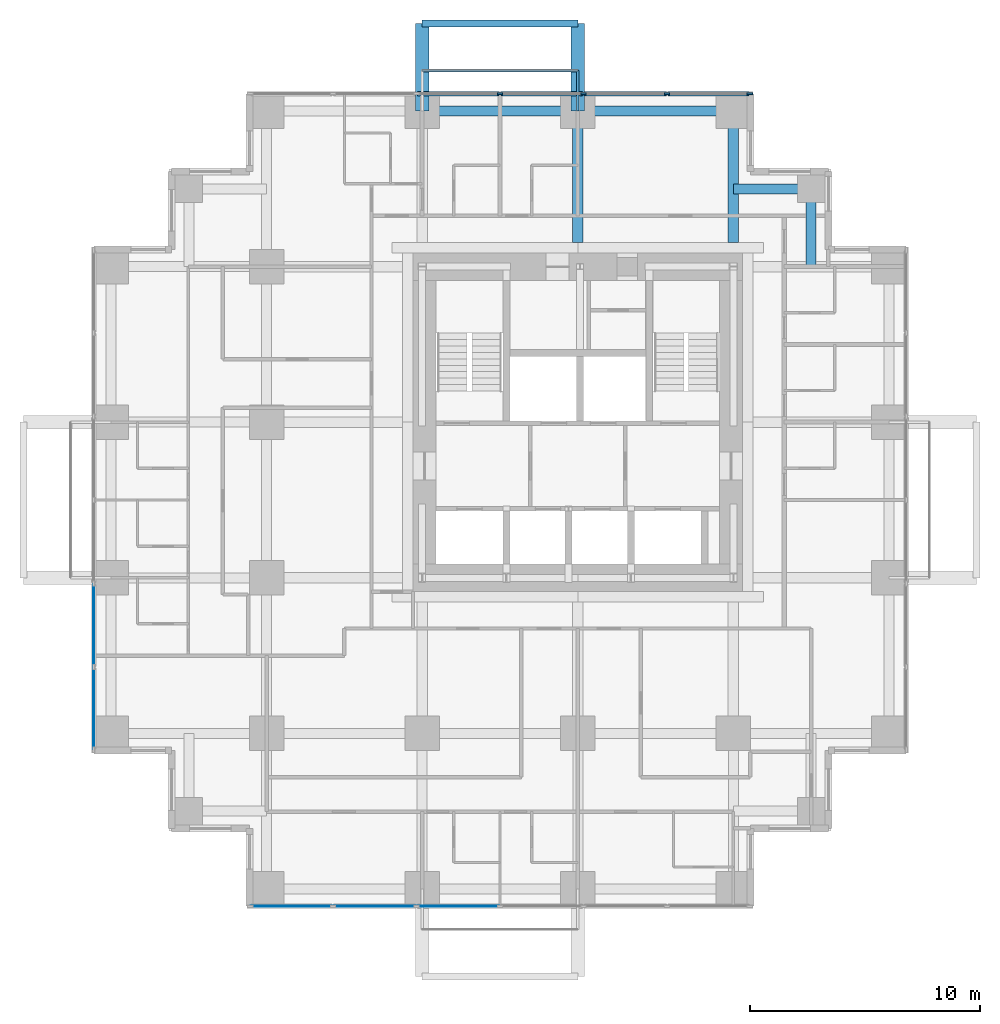
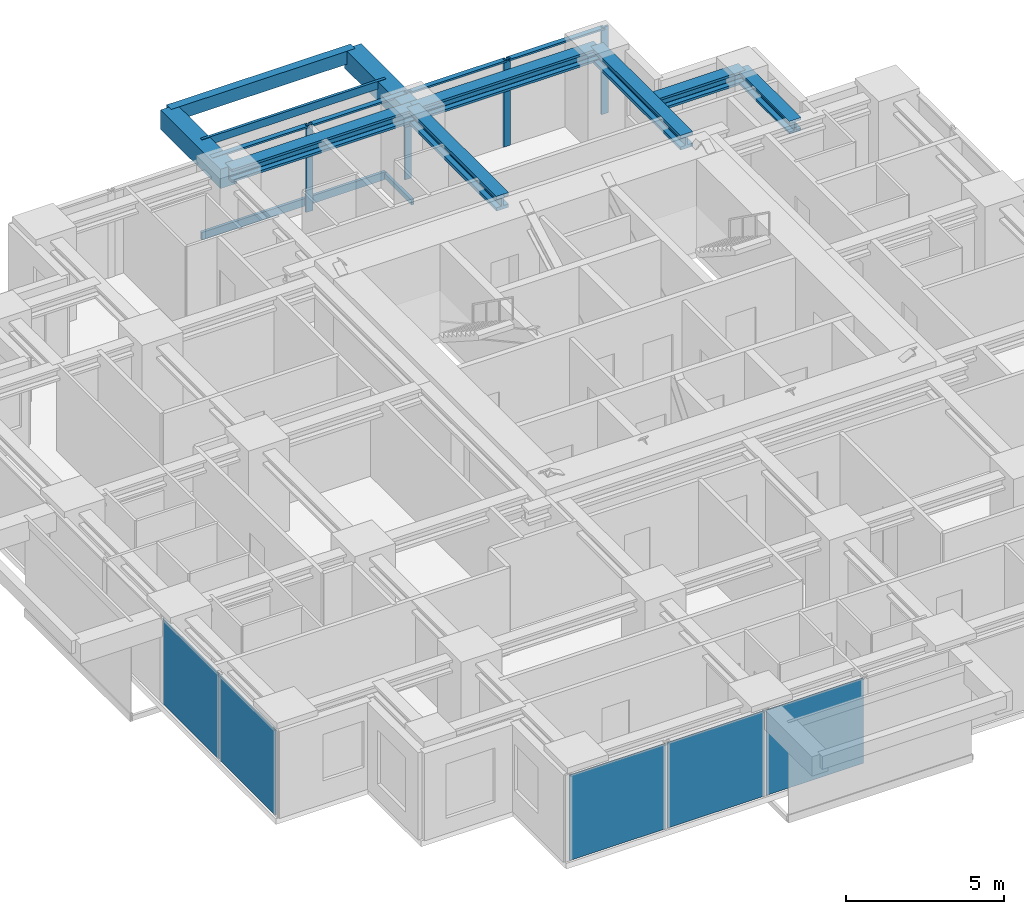
# One storey, part 4 of 10: 11 members, 9 beams, 5 plates, 3 elements without a shape of their own.
"""IFC4 building model written with IfcOpenShell, lengths in metres."""

from ifc_helpers import new_model, si_unit, direction, frame, origin, origin_2d, place, context, subcontext, project, spatial, rectangle, hollow_rectangle, i_section, extrude, material, layer, layer_set, material_profile, profile_set, type_object, element, aggregate, save


model = new_model("IFC4")

# Units and contexts
model_context = context("Model", 3, precision=1e-05, world=origin(), true_north=direction((0.0, 1.0)))
body_context = subcontext(model_context, "Body", "Model", "MODEL_VIEW")
ifc_project = project(units=[si_unit("LENGTHUNIT", "METRE"), si_unit("AREAUNIT", "SQUARE_METRE"), si_unit("VOLUMEUNIT", "CUBIC_METRE"), si_unit("PLANEANGLEUNIT", "RADIAN"), si_unit("MASSUNIT", "GRAM", prefix="KILO")], contexts=[model_context])

# Site, building, storey
site_placement = place(None, origin())
site = spatial("IfcSite", under=ifc_project, at=site_placement, CompositionType="ELEMENT")
building_placement = place(site_placement, origin())
building = spatial("IfcBuilding", under=site, at=building_placement, Name="Nyansa Garden Tower", CompositionType="ELEMENT")
storey_placement = place(building_placement, frame((0.0, 0.0, 167.39990234375)))
storey = spatial("IfcBuildingStorey", under=building, at=storey_placement, Name="L45", CompositionType="ELEMENT", Elevation=167.39990234375)

# Beams
ifc_material_1 = material(Name="Concrete C70/85", Category="concrete")
ifc_material_profile_1 = material_profile(ifc_material_1, rectangle(XDim=0.60009765625, YDim=0.75, at=origin_2d()), Name="RC 600x750")
ifc_profile_set_1 = profile_set([ifc_material_profile_1], Name="Concrete C70/85")
beam_type_1 = type_object("IfcBeamType", Name="Balcony cantilever beam CB1 RC 600x750", PredefinedType="BEAM", material=ifc_profile_set_1)
for number, where, z_axis, x_axis, name in (
    (1, (13.5, 33.75, 2.985107421875), (0.0, 1.0, 0.0), (-1.0, 0.0, 0.0), "Balcony cantilever beam L46"),
    (2, (20.25, 33.75, 2.985107421875), (0.0, 1.0, 0.0), (-1.0, 0.0, 0.0), "Balcony cantilever beam L46"),
):
    element("IfcBeam", number, at=place(storey_placement, frame(where, z_axis=z_axis, x_axis=x_axis)), inside=storey, type_object=beam_type_1, Name=name, PredefinedType="BEAM", context=body_context, shape_type="SweptSolid", body=[
        extrude(rectangle(XDim=0.60009765625, YDim=0.75, at=origin_2d()), origin(), (0.0, 0.0, 1.0), 3.800048828125),
    ])
ifc_material_2 = material(Name="Concrete C70/85", Category="concrete")
ifc_material_profile_2 = material_profile(ifc_material_2, rectangle(XDim=0.300048828125, YDim=0.5, at=origin_2d()), Name="RC 300x500")
ifc_profile_set_2 = profile_set([ifc_material_profile_2], Name="Concrete C70/85")
beam_type_2 = type_object("IfcBeamType", Name="Balcony edge beam BE1 RC 300x500", PredefinedType="BEAM", material=ifc_profile_set_2)
beam_placement = place(storey_placement, frame((13.5, 37.550048828125, 3.110107421875), z_axis=(1.0, 0.0, 0.0), x_axis=(0.0, 1.0, 0.0)))
element("IfcBeam", 3, at=beam_placement, inside=storey, type_object=beam_type_2, Name="Balcony edge beam L46", PredefinedType="BEAM", context=body_context, shape_type="SweptSolid", body=[
    extrude(rectangle(XDim=0.300048828125, YDim=0.5, at=origin_2d()), origin(), (0.0, 0.0, 1.0), 6.75),
])

# Curtain wall, members
ifc_material_3 = material(Name="Black anodised aluminium, dark tinted double glazing", Category="aluminium")
curtain_wall_type = type_object("IfcCurtainWallType", Name="Inner skin curtain wall ISW-C", PredefinedType="USERDEFINED", material=ifc_material_3)
curtain_wall_1_placement = place(storey_placement, origin())
curtain_wall_1 = element("IfcCurtainWall", 4, at=curtain_wall_1_placement, inside=storey, type_object=curtain_wall_type, Name="Inner skin curtain wall L45 N", ObjectType="UNITISED CURTAIN WALL", PredefinedType="USERDEFINED")
ifc_material_4 = material(Name="Black anodised aluminium", Category="aluminium")
ifc_material_profile_3 = material_profile(ifc_material_4, rectangle(XDim=0.070068359375, YDim=0.25, at=origin_2d()), Name="Mullion 250x70")
ifc_profile_set_3 = profile_set([ifc_material_profile_3], Name="Black anodised aluminium")
member_type_1 = type_object("IfcMemberType", Name="Mullion ISW-C 250x70", PredefinedType="MULLION", material=ifc_profile_set_3)
member_1_placement = place(storey_placement, frame((27.715087890625, 34.5, 0.0), z_axis=(0.0, 0.0, 1.0), x_axis=(0.0, -1.0, 0.0)))
member_1 = element("IfcMember", 5, at=member_1_placement, type_object=member_type_1, Name="ISW-C mullion 1", PredefinedType="MULLION", context=body_context, shape_type="SweptSolid", body=[
    extrude(rectangle(XDim=0.070068359375, YDim=0.25, at=origin_2d()), origin(), (0.0, 0.0, 1.0), 3.375),
])
member_2_placement = place(storey_placement, frame((24.125, 34.5, 0.0), z_axis=(0.0, 0.0, 1.0), x_axis=(0.0, -1.0, 0.0)))
member_2 = element("IfcMember", 6, at=member_2_placement, type_object=member_type_1, Name="ISW-C mullion 2", PredefinedType="MULLION", context=body_context, shape_type="SweptSolid", body=[
    extrude(rectangle(XDim=0.070068359375, YDim=0.25, at=origin_2d()), origin(), (0.0, 0.0, 1.0), 3.375),
])
member_3_placement = place(storey_placement, frame((20.5, 34.5, 0.0), z_axis=(0.0, 0.0, 1.0), x_axis=(0.0, -1.0, 0.0)))
member_3 = element("IfcMember", 7, at=member_3_placement, type_object=member_type_1, Name="ISW-C mullion 3", PredefinedType="MULLION", context=body_context, shape_type="SweptSolid", body=[
    extrude(rectangle(XDim=0.070068359375, YDim=0.25, at=origin_2d()), origin(), (0.0, 0.0, 1.0), 3.375),
])
member_4_placement = place(storey_placement, frame((16.875, 34.5, 0.0), z_axis=(0.0, 0.0, 1.0), x_axis=(0.0, -1.0, 0.0)))
member_4 = element("IfcMember", 8, at=member_4_placement, type_object=member_type_1, Name="ISW-C mullion 4", PredefinedType="MULLION", context=body_context, shape_type="SweptSolid", body=[
    extrude(rectangle(XDim=0.070068359375, YDim=0.25, at=origin_2d()), origin(), (0.0, 0.0, 1.0), 3.375),
])

# Members
ifc_material_5 = material(Name="Steel S355, black powder coated", Category="steel")
ifc_material_profile_4 = material_profile(ifc_material_5, hollow_rectangle(XDim=0.10009765625, YDim=0.199951171875, WallThickness=0.008056640625, at=origin_2d()), Name="RHS 200x100x8")
ifc_profile_set_4 = profile_set([ifc_material_profile_4], Name="Steel S355, black powder coated")
member_type_2 = type_object("IfcMemberType", Name="Outer skin bracket arm RHS 200x100x8", PredefinedType="USERDEFINED", material=ifc_profile_set_4)
member_5_placement = place(storey_placement, frame((20.25, 33.75, -0.375), z_axis=(0.0, 1.0, 0.0), x_axis=(-1.0, 0.0, 0.0)))
element("IfcMember", 9, at=member_5_placement, inside=storey, type_object=member_type_2, Name="Outer skin bracket arm", ObjectType="OUTER SKIN BRACKET", PredefinedType="USERDEFINED", context=body_context, shape_type="SweptSolid", body=[
    extrude(hollow_rectangle(XDim=0.10009765625, YDim=0.199951171875, WallThickness=0.008056640625, at=origin_2d()), origin(), (0.0, 0.0, 1.0), 1.75),
])
ifc_material_6 = material(Name="Steel S355, black powder coated", Category="steel")
ifc_material_profile_5 = material_profile(ifc_material_6, hollow_rectangle(XDim=0.10009765625, YDim=0.300048828125, WallThickness=0.010009765625, at=origin_2d()), Name="RHS 300x100x10")
ifc_profile_set_5 = profile_set([ifc_material_profile_5], Name="Steel S355, black powder coated")
member_type_3 = type_object("IfcMemberType", Name="Outer skin rail RHS 300x100x10", PredefinedType="USERDEFINED", material=ifc_profile_set_5)
for number, where, z_axis, x_axis, name in (
    (10, (13.5, 35.5, -0.375), (1.0, 0.0, 0.0), (0.0, 1.0, 0.0), "Outer skin rail L45"),
    (11, (13.5, 35.5, 3.22509765625), (1.0, 0.0, 0.0), (0.0, 1.0, 0.0), "Outer skin rail L45 head"),
):
    element("IfcMember", number, at=place(storey_placement, frame(where, z_axis=z_axis, x_axis=x_axis)), inside=storey, type_object=member_type_3, Name=name, ObjectType="OUTER SKIN RAIL", PredefinedType="USERDEFINED", context=body_context, shape_type="SweptSolid", body=[
        extrude(hollow_rectangle(XDim=0.10009765625, YDim=0.300048828125, WallThickness=0.010009765625, at=origin_2d()), origin(), (0.0, 0.0, 1.0), 6.75),
    ])

# Beams
ifc_material_7 = material(Name="Steel S355", Category="steel")
ifc_material_profile_6 = material_profile(ifc_material_7, i_section(OverallWidth=0.4541015625, OverallDepth=0.569091796875, WebThickness=0.077880859375, FlangeThickness=0.125, FilletRadius=0.014892578125, at=origin_2d()), Name="HD 400x1086")
ifc_profile_set_6 = profile_set([ifc_material_profile_6], Name="Steel S355")
beam_type_3 = type_object("IfcBeamType", Name="Steel beam SCL-1086 HD 400x1086", PredefinedType="BEAM", material=ifc_profile_set_6)
for number, where, z_axis, x_axis, name in (
    (12, (20.25, 28.050048828125, 3.090576171875), (0.0, 1.0, 0.0), (-1.0, 0.0, 0.0), "Steel beam 5/28.050-5/J L46"),
    (13, (27.0, 28.050048828125, 3.090576171875), (0.0, 1.0, 0.0), (-1.0, 0.0, 0.0), "Steel beam 6/28.050-6/J L46"),
):
    element("IfcBeam", number, at=place(storey_placement, frame(where, z_axis=z_axis, x_axis=x_axis)), inside=storey, type_object=beam_type_3, Name=name, PredefinedType="BEAM", context=body_context, shape_type="SweptSolid", body=[
        extrude(i_section(OverallWidth=0.4541015625, OverallDepth=0.569091796875, WebThickness=0.077880859375, FlangeThickness=0.125, FilletRadius=0.014892578125, at=origin_2d()), origin(), (0.0, 0.0, 1.0), 5.699951171875),
    ])
ifc_material_8 = material(Name="Steel S355", Category="steel")
ifc_material_profile_7 = material_profile(ifc_material_8, i_section(OverallWidth=0.431884765625, OverallDepth=0.498046875, WebThickness=0.0556640625, FlangeThickness=0.0888671875, FilletRadius=0.014892578125, at=origin_2d()), Name="HD 400x744")
ifc_profile_set_7 = profile_set([ifc_material_profile_7], Name="Steel S355")
beam_type_4 = type_object("IfcBeamType", Name="Steel beam SEBC-744 HD 400x744", PredefinedType="BEAM", material=ifc_profile_set_7)
for number, where, z_axis, x_axis, name in (
    (14, (13.5, 33.75, 3.1259765625), (1.0, 0.0, 0.0), (0.0, 1.0, 0.0), "Steel edge beam 4/J-5/J L46"),
    (15, (20.25, 33.75, 3.1259765625), (1.0, 0.0, 0.0), (0.0, 1.0, 0.0), "Steel edge beam 5/J-6/J L46"),
):
    element("IfcBeam", number, at=place(storey_placement, frame(where, z_axis=z_axis, x_axis=x_axis)), inside=storey, type_object=beam_type_4, Name=name, PredefinedType="BEAM", context=body_context, shape_type="SweptSolid", body=[
        extrude(i_section(OverallWidth=0.431884765625, OverallDepth=0.498046875, WebThickness=0.0556640625, FlangeThickness=0.0888671875, FilletRadius=0.014892578125, at=origin_2d()), origin(), (0.0, 0.0, 1.0), 6.75),
    ])
ifc_material_9 = material(Name="Steel S355", Category="steel")
ifc_material_profile_8 = material_profile(ifc_material_9, i_section(OverallWidth=0.431884765625, OverallDepth=0.498046875, WebThickness=0.0556640625, FlangeThickness=0.0888671875, FilletRadius=0.014892578125, at=origin_2d()), Name="HD 400x744")
ifc_profile_set_8 = profile_set([ifc_material_profile_8], Name="Steel S355")
beam_type_5 = type_object("IfcBeamType", Name="Steel beam SSB1-744 HD 400x744", PredefinedType="BEAM", material=ifc_profile_set_8)
for number, where, z_axis, x_axis, name in (
    (16, (30.375, 30.375, 3.1259765625), (0.0, -1.0, 0.0), (1.0, 0.0, 0.0), "Steel step beam 30.375/30.375 L46"),
    (17, (30.375, 30.375, 3.1259765625), (-1.0, 0.0, 0.0), (0.0, -1.0, 0.0), "Steel step beam 30.375/30.375 L46"),
):
    element("IfcBeam", number, at=place(storey_placement, frame(where, z_axis=z_axis, x_axis=x_axis)), inside=storey, type_object=beam_type_5, Name=name, PredefinedType="BEAM", context=body_context, shape_type="SweptSolid", body=[
        extrude(i_section(OverallWidth=0.431884765625, OverallDepth=0.498046875, WebThickness=0.0556640625, FlangeThickness=0.0888671875, FilletRadius=0.014892578125, at=origin_2d()), origin(), (0.0, 0.0, 1.0), 3.375),
    ])

# Member
ifc_material_10 = material(Name="Black anodised aluminium", Category="aluminium")
ifc_material_profile_9 = material_profile(ifc_material_10, rectangle(XDim=0.179931640625, YDim=0.070068359375, at=origin_2d()), Name="Transom 180x70")
ifc_profile_set_9 = profile_set([ifc_material_profile_9], Name="Black anodised aluminium")
member_type_4 = type_object("IfcMemberType", Name="Transom ISW-C 180x70", PredefinedType="USERDEFINED", material=ifc_profile_set_9)
member_6_placement = place(storey_placement, frame((27.679931640625, 34.5, 3.340087890625), z_axis=(-1.0, 0.0, 0.0), x_axis=(0.0, -1.0, 0.0)))
member_6 = element("IfcMember", 18, at=member_6_placement, type_object=member_type_4, Name="ISW-C transom 1", ObjectType="TRANSOM", PredefinedType="USERDEFINED", context=body_context, shape_type="SweptSolid", body=[
    extrude(rectangle(XDim=0.179931640625, YDim=0.070068359375, at=origin_2d()), origin(), (0.0, 0.0, 1.0), 3.52001953125),
])

member_7_placement = place(storey_placement, frame((24.090087890625, 34.5, 3.340087890625), z_axis=(-1.0, 0.0, 0.0), x_axis=(0.0, -1.0, 0.0)))
member_7 = element("IfcMember", 19, at=member_7_placement, type_object=member_type_4, Name="ISW-C transom 2", ObjectType="TRANSOM", PredefinedType="USERDEFINED", context=body_context, shape_type="SweptSolid", body=[
    extrude(rectangle(XDim=0.179931640625, YDim=0.070068359375, at=origin_2d()), origin(), (0.0, 0.0, 1.0), 3.55517578125),
])

member_8_placement = place(storey_placement, frame((20.465087890625, 34.5, 3.340087890625), z_axis=(-1.0, 0.0, 0.0), x_axis=(0.0, -1.0, 0.0)))
member_8 = element("IfcMember", 20, at=member_8_placement, type_object=member_type_4, Name="ISW-C transom 3", ObjectType="TRANSOM", PredefinedType="USERDEFINED", context=body_context, shape_type="SweptSolid", body=[
    extrude(rectangle(XDim=0.179931640625, YDim=0.070068359375, at=origin_2d()), origin(), (0.0, 0.0, 1.0), 3.55517578125),
])

member_9_placement = place(storey_placement, frame((16.840087890625, 34.5, 3.340087890625), z_axis=(-1.0, 0.0, 0.0), x_axis=(0.0, -1.0, 0.0)))
member_9 = element("IfcMember", 21, at=member_9_placement, type_object=member_type_4, Name="ISW-C transom 4", ObjectType="TRANSOM", PredefinedType="USERDEFINED", context=body_context, shape_type="SweptSolid", body=[
    extrude(rectangle(XDim=0.179931640625, YDim=0.070068359375, at=origin_2d()), origin(), (0.0, 0.0, 1.0), 3.55517578125),
])

aggregate(curtain_wall_1, [member_1, member_2, member_3, member_4, member_6, member_7, member_8, member_9])

# Curtain wall, plates
curtain_wall_2_placement = place(storey_placement, origin())
curtain_wall_2 = element("IfcCurtainWall", 22, at=curtain_wall_2_placement, inside=storey, type_object=curtain_wall_type, Name="Inner skin curtain wall L45 W", ObjectType="UNITISED CURTAIN WALL", PredefinedType="USERDEFINED")
ifc_material_11 = material(Name="Dark tinted laminated double glazing", Category="glass")
ifc_layer = layer(ifc_material_11, 0.0400390625)
ifc_layer_set = layer_set([ifc_layer], Name="Dark tinted vision panel VP-C")
plate_type = type_object("IfcPlateType", Name="Dark tinted vision panel VP-C", PredefinedType="CURTAIN_PANEL", material=ifc_layer_set)
plate_1_placement = place(storey_placement, frame((-0.75, 11.4375, 0.0), z_axis=(0.0, 0.0, 1.0), x_axis=(0.0, -1.0, 0.0)))
plate_1 = element("IfcPlate", 23, at=plate_1_placement, type_object=plate_type, Name="ISW-C panel 5", PredefinedType="CURTAIN_PANEL", context=body_context, shape_type="SweptSolid", body=[
    extrude(rectangle(XDim=3.554931640625, YDim=0.0400390625, at=origin_2d()), origin(), (0.0, 0.0, 1.0), 3.304931640625),
])
plate_2_placement = place(storey_placement, frame((-0.75, 7.830078125, 0.0), z_axis=(0.0, 0.0, 1.0), x_axis=(0.0, -1.0, 0.0)))
plate_2 = element("IfcPlate", 24, at=plate_2_placement, type_object=plate_type, Name="ISW-C panel 6", PredefinedType="CURTAIN_PANEL", context=body_context, shape_type="SweptSolid", body=[
    extrude(rectangle(XDim=3.52001953125, YDim=0.0400390625, at=origin_2d()), origin(), (0.0, 0.0, 1.0), 3.304931640625),
])
aggregate(curtain_wall_2, [plate_1, plate_2])

curtain_wall_3_placement = place(storey_placement, origin())
curtain_wall_3 = element("IfcCurtainWall", 25, at=curtain_wall_3_placement, inside=storey, type_object=curtain_wall_type, Name="Inner skin curtain wall L45 S", ObjectType="UNITISED CURTAIN WALL", PredefinedType="USERDEFINED")
plate_3_placement = place(storey_placement, frame((7.830078125, -0.75, 0.0), z_axis=(0.0, 0.0, 1.0), x_axis=(1.0, 0.0, 0.0)))
plate_3 = element("IfcPlate", 26, at=plate_3_placement, type_object=plate_type, Name="ISW-C panel 1", PredefinedType="CURTAIN_PANEL", context=body_context, shape_type="SweptSolid", body=[
    extrude(rectangle(XDim=3.52001953125, YDim=0.0400390625, at=origin_2d()), origin(), (0.0, 0.0, 1.0), 3.304931640625),
])
plate_4_placement = place(storey_placement, frame((11.4375, -0.75, 0.0), z_axis=(0.0, 0.0, 1.0), x_axis=(1.0, 0.0, 0.0)))
plate_4 = element("IfcPlate", 27, at=plate_4_placement, type_object=plate_type, Name="ISW-C panel 2", PredefinedType="CURTAIN_PANEL", context=body_context, shape_type="SweptSolid", body=[
    extrude(rectangle(XDim=3.554931640625, YDim=0.0400390625, at=origin_2d()), origin(), (0.0, 0.0, 1.0), 3.304931640625),
])
plate_5_placement = place(storey_placement, frame((15.0625, -0.75, 0.0), z_axis=(0.0, 0.0, 1.0), x_axis=(1.0, 0.0, 0.0)))
plate_5 = element("IfcPlate", 28, at=plate_5_placement, type_object=plate_type, Name="ISW-C panel 3", PredefinedType="CURTAIN_PANEL", context=body_context, shape_type="SweptSolid", body=[
    extrude(rectangle(XDim=3.554931640625, YDim=0.0400390625, at=origin_2d()), origin(), (0.0, 0.0, 1.0), 3.304931640625),
])
aggregate(curtain_wall_3, [plate_3, plate_4, plate_5])

save(model, "model.ifc")
